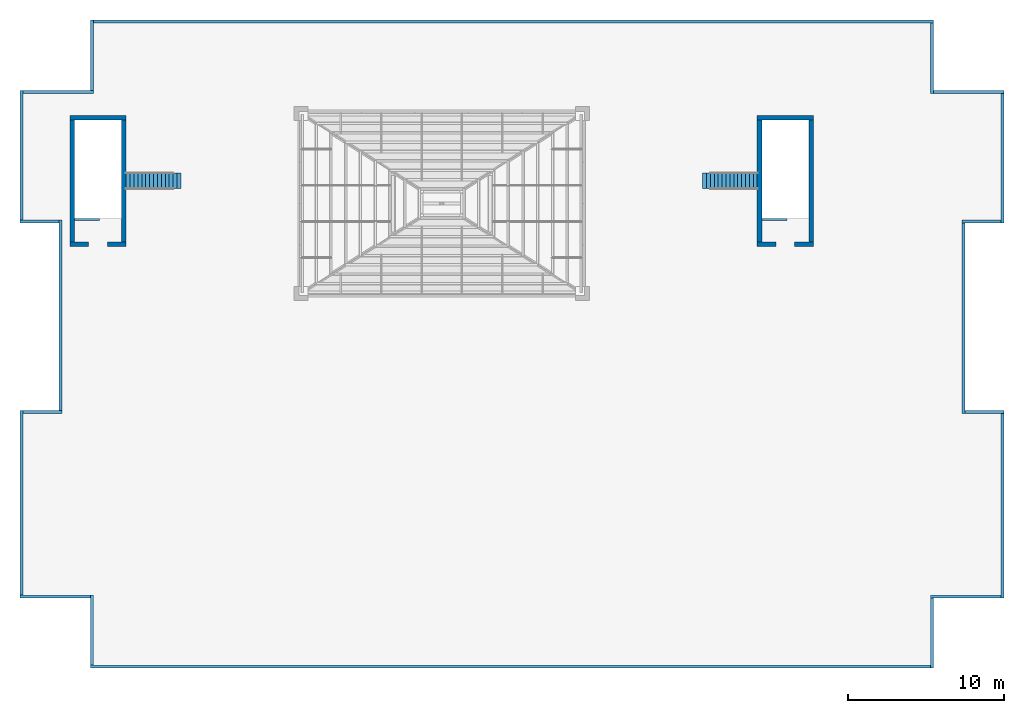
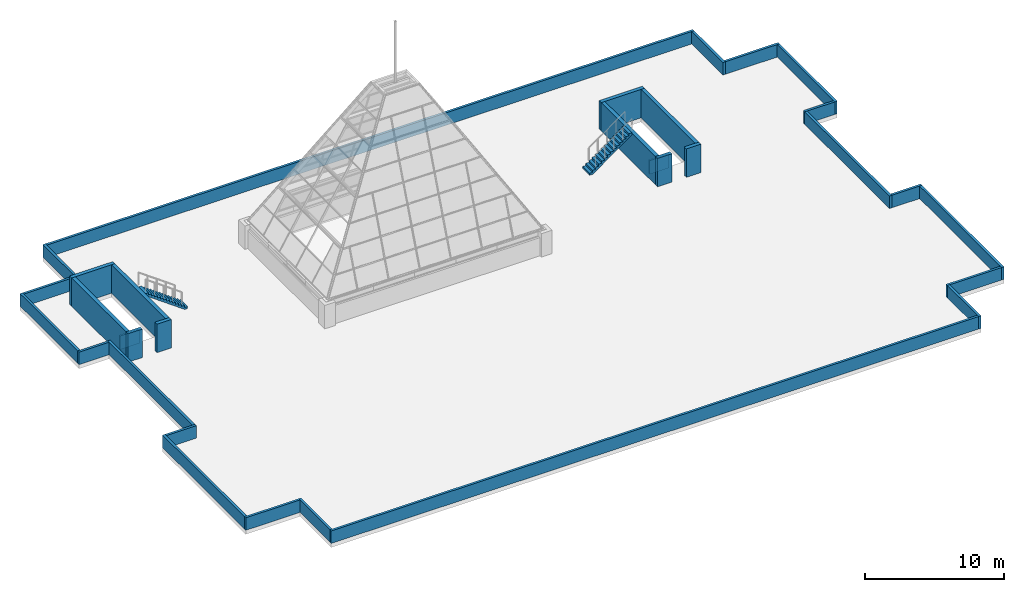
# One storey, part 7 of 8: 32 walls, 2 stair flights, 2 elements without a shape of their own.
"""IFC4 building model written with IfcOpenShell, lengths in metres."""

from ifc_helpers import new_model, si_unit, direction, frame, frame_2d, origin, place, context, subcontext, project, spatial, polyline, rectangle, outline, extrude, material, layer, layer_set, type_object, element, aggregate, save


model = new_model("IFC4")

# Units and contexts
model_context = context("Model", 3, precision=1e-05, world=origin(), true_north=direction((0.0, 1.0)))
body_context = subcontext(model_context, "Body", "Model", "MODEL_VIEW")
ifc_project = project(units=[si_unit("LENGTHUNIT", "METRE"), si_unit("AREAUNIT", "SQUARE_METRE"), si_unit("VOLUMEUNIT", "CUBIC_METRE"), si_unit("PLANEANGLEUNIT", "RADIAN"), si_unit("MASSUNIT", "GRAM", prefix="KILO")], contexts=[model_context])

# Site, building, storey
site_placement = place(None, origin())
site = spatial("IfcSite", under=ifc_project, at=site_placement, CompositionType="ELEMENT")
building_placement = place(site_placement, origin())
building = spatial("IfcBuilding", under=site, at=building_placement, Name="Brigalow Station Residences", CompositionType="ELEMENT")
storey_placement = place(building_placement, frame((0.0, 0.0, 244.199951171875)))
storey = spatial("IfcBuildingStorey", under=building, at=storey_placement, Name="Roof", CompositionType="ELEMENT", Elevation=244.199951171875)

# Walls
ifc_material_1 = material(Name="Concrete C50", Category="concrete")
ifc_layer_1 = layer(ifc_material_1, 0.199951171875)
ifc_layer_set_1 = layer_set([ifc_layer_1], Name="PARAPET 200x1100")
wall_type_1 = type_object("IfcWallType", Name="PARAPET 200x1100", PredefinedType="PARAPET", material=ifc_layer_set_1)
for number, where, z_axis, x_axis, name in (
    (1, (13.60009765625, 0.199951171875, 0.0), (0.0, 0.0, 1.0), (0.0, 1.0, 0.0), "Roof/parapet/1"),
    (2, (13.5, 4.60009765625, 0.0), (0.0, 0.0, 1.0), (-1.0, 0.0, 0.0), "Roof/parapet/2"),
):
    element("IfcWall", number, at=place(storey_placement, frame(where, z_axis=z_axis, x_axis=x_axis)), inside=storey, type_object=wall_type_1, Name=name, PredefinedType="PARAPET", context=body_context, shape_type="SweptSolid", body=[
        extrude(rectangle(XDim=4.5, YDim=0.199951171875, at=frame_2d((2.25, 0.0))), origin(), (0.0, 0.0, 1.0), 1.10009765625),
    ])
wall_1_placement = place(storey_placement, frame((9.10009765625, 4.699951171875, 0.0), z_axis=(0.0, 0.0, 1.0), x_axis=(0.0, 1.0, 0.0)))
element("IfcWall", 3, at=wall_1_placement, inside=storey, type_object=wall_type_1, Name="Roof/parapet/3", PredefinedType="PARAPET", context=body_context, shape_type="SweptSolid", body=[
    extrude(rectangle(XDim=11.800048828125, YDim=0.199951171875, at=frame_2d((5.89990234375, 0.0))), origin(), (0.0, 0.0, 1.0), 1.10009765625),
])
wall_2_placement = place(storey_placement, frame((9.199951171875, 16.39990234375, 0.0), z_axis=(0.0, 0.0, 1.0), x_axis=(1.0, 0.0, 0.0)))
element("IfcWall", 4, at=wall_2_placement, inside=storey, type_object=wall_type_1, Name="Roof/parapet/4", PredefinedType="PARAPET", context=body_context, shape_type="SweptSolid", body=[
    extrude(rectangle(XDim=2.5, YDim=0.199951171875, at=frame_2d((1.25, 0.0))), origin(), (0.0, 0.0, 1.0), 1.10009765625),
])
wall_3_placement = place(storey_placement, frame((11.60009765625, 16.5, 0.0), z_axis=(0.0, 0.0, 1.0), x_axis=(0.0, 1.0, 0.0)))
element("IfcWall", 5, at=wall_3_placement, inside=storey, type_object=wall_type_1, Name="Roof/parapet/5", PredefinedType="PARAPET", context=body_context, shape_type="SweptSolid", body=[
    extrude(rectangle(XDim=12.199951171875, YDim=0.199951171875, at=frame_2d((6.10009765625, 0.0))), origin(), (0.0, 0.0, 1.0), 1.10009765625),
])
wall_4_placement = place(storey_placement, frame((11.5, 28.60009765625, 0.0), z_axis=(0.0, 0.0, 1.0), x_axis=(-1.0, 0.0, 0.0)))
element("IfcWall", 6, at=wall_4_placement, inside=storey, type_object=wall_type_1, Name="Roof/parapet/6", PredefinedType="PARAPET", context=body_context, shape_type="SweptSolid", body=[
    extrude(rectangle(XDim=2.5, YDim=0.199951171875, at=frame_2d((1.25, 0.0))), origin(), (0.0, 0.0, 1.0), 1.10009765625),
])
wall_5_placement = place(storey_placement, frame((9.10009765625, 28.699951171875, 0.0), z_axis=(0.0, 0.0, 1.0), x_axis=(0.0, 1.0, 0.0)))
element("IfcWall", 7, at=wall_5_placement, inside=storey, type_object=wall_type_1, Name="Roof/parapet/7", PredefinedType="PARAPET", context=body_context, shape_type="SweptSolid", body=[
    extrude(rectangle(XDim=8.300048828125, YDim=0.199951171875, at=frame_2d((4.14990234375, 0.0))), origin(), (0.0, 0.0, 1.0), 1.10009765625),
])
for number, where, z_axis, x_axis, name in (
    (8, (9.199951171875, 36.89990234375, 0.0), (0.0, 0.0, 1.0), (1.0, 0.0, 0.0), "Roof/parapet/8"),
    (9, (13.60009765625, 37.0, 0.0), (0.0, 0.0, 1.0), (0.0, 1.0, 0.0), "Roof/parapet/9"),
):
    element("IfcWall", number, at=place(storey_placement, frame(where, z_axis=z_axis, x_axis=x_axis)), inside=storey, type_object=wall_type_1, Name=name, PredefinedType="PARAPET", context=body_context, shape_type="SweptSolid", body=[
        extrude(rectangle(XDim=4.5, YDim=0.199951171875, at=frame_2d((2.25, 0.0))), origin(), (0.0, 0.0, 1.0), 1.10009765625),
    ])
wall_6_placement = place(storey_placement, frame((13.699951171875, 41.39990234375, 0.0), z_axis=(0.0, 0.0, 1.0), x_axis=(1.0, 0.0, 0.0)))
element("IfcWall", 10, at=wall_6_placement, inside=storey, type_object=wall_type_1, Name="Roof/parapet/10", PredefinedType="PARAPET", context=body_context, shape_type="SweptSolid", body=[
    extrude(rectangle(XDim=53.800048828125, YDim=0.199951171875, at=frame_2d((26.89990234375, 0.0))), origin(), (0.0, 0.0, 1.0), 1.10009765625),
])
for number, where, z_axis, x_axis, name in (
    (11, (67.39990234375, 41.300048828125, 0.0), (0.0, 0.0, 1.0), (0.0, -1.0, 0.0), "Roof/parapet/11"),
    (12, (67.5, 36.89990234375, 0.0), (0.0, 0.0, 1.0), (1.0, 0.0, 0.0), "Roof/parapet/12"),
):
    element("IfcWall", number, at=place(storey_placement, frame(where, z_axis=z_axis, x_axis=x_axis)), inside=storey, type_object=wall_type_1, Name=name, PredefinedType="PARAPET", context=body_context, shape_type="SweptSolid", body=[
        extrude(rectangle(XDim=4.5, YDim=0.199951171875, at=frame_2d((2.25, 0.0))), origin(), (0.0, 0.0, 1.0), 1.10009765625),
    ])
wall_7_placement = place(storey_placement, frame((71.89990234375, 36.800048828125, 0.0), z_axis=(0.0, 0.0, 1.0), x_axis=(0.0, -1.0, 0.0)))
element("IfcWall", 13, at=wall_7_placement, inside=storey, type_object=wall_type_1, Name="Roof/parapet/13", PredefinedType="PARAPET", context=body_context, shape_type="SweptSolid", body=[
    extrude(rectangle(XDim=8.300048828125, YDim=0.199951171875, at=frame_2d((4.14990234375, 0.0))), origin(), (0.0, 0.0, 1.0), 1.10009765625),
])
wall_8_placement = place(storey_placement, frame((71.800048828125, 28.60009765625, 0.0), z_axis=(0.0, 0.0, 1.0), x_axis=(-1.0, 0.0, 0.0)))
element("IfcWall", 14, at=wall_8_placement, inside=storey, type_object=wall_type_1, Name="Roof/parapet/14", PredefinedType="PARAPET", context=body_context, shape_type="SweptSolid", body=[
    extrude(rectangle(XDim=2.5, YDim=0.199951171875, at=frame_2d((1.25, 0.0))), origin(), (0.0, 0.0, 1.0), 1.10009765625),
])
wall_9_placement = place(storey_placement, frame((69.39990234375, 28.5, 0.0), z_axis=(0.0, 0.0, 1.0), x_axis=(0.0, -1.0, 0.0)))
element("IfcWall", 15, at=wall_9_placement, inside=storey, type_object=wall_type_1, Name="Roof/parapet/15", PredefinedType="PARAPET", context=body_context, shape_type="SweptSolid", body=[
    extrude(rectangle(XDim=12.199951171875, YDim=0.199951171875, at=frame_2d((6.10009765625, 0.0))), origin(), (0.0, 0.0, 1.0), 1.10009765625),
])
wall_10_placement = place(storey_placement, frame((69.5, 16.39990234375, 0.0), z_axis=(0.0, 0.0, 1.0), x_axis=(1.0, 0.0, 0.0)))
element("IfcWall", 16, at=wall_10_placement, inside=storey, type_object=wall_type_1, Name="Roof/parapet/16", PredefinedType="PARAPET", context=body_context, shape_type="SweptSolid", body=[
    extrude(rectangle(XDim=2.5, YDim=0.199951171875, at=frame_2d((1.25, 0.0))), origin(), (0.0, 0.0, 1.0), 1.10009765625),
])
wall_11_placement = place(storey_placement, frame((71.89990234375, 16.300048828125, 0.0), z_axis=(0.0, 0.0, 1.0), x_axis=(0.0, -1.0, 0.0)))
element("IfcWall", 17, at=wall_11_placement, inside=storey, type_object=wall_type_1, Name="Roof/parapet/17", PredefinedType="PARAPET", context=body_context, shape_type="SweptSolid", body=[
    extrude(rectangle(XDim=11.800048828125, YDim=0.199951171875, at=frame_2d((5.89990234375, 0.0))), origin(), (0.0, 0.0, 1.0), 1.10009765625),
])
for number, where, z_axis, x_axis, name in (
    (18, (71.800048828125, 4.60009765625, 0.0), (0.0, 0.0, 1.0), (-1.0, 0.0, 0.0), "Roof/parapet/18"),
    (19, (67.39990234375, 4.5, 0.0), (0.0, 0.0, 1.0), (0.0, -1.0, 0.0), "Roof/parapet/19"),
):
    element("IfcWall", number, at=place(storey_placement, frame(where, z_axis=z_axis, x_axis=x_axis)), inside=storey, type_object=wall_type_1, Name=name, PredefinedType="PARAPET", context=body_context, shape_type="SweptSolid", body=[
        extrude(rectangle(XDim=4.5, YDim=0.199951171875, at=frame_2d((2.25, 0.0))), origin(), (0.0, 0.0, 1.0), 1.10009765625),
    ])
wall_12_placement = place(storey_placement, frame((67.300048828125, 0.10009765625, 0.0), z_axis=(0.0, 0.0, 1.0), x_axis=(-1.0, 0.0, 0.0)))
element("IfcWall", 20, at=wall_12_placement, inside=storey, type_object=wall_type_1, Name="Roof/parapet/20", PredefinedType="PARAPET", context=body_context, shape_type="SweptSolid", body=[
    extrude(rectangle(XDim=53.800048828125, YDim=0.199951171875, at=frame_2d((26.89990234375, 0.0))), origin(), (0.0, 0.0, 1.0), 1.10009765625),
])
ifc_material_2 = material(Name="Concrete C50", Category="concrete")
ifc_layer_2 = layer(ifc_material_2, 0.300048828125)
ifc_layer_set_2 = layer_set([ifc_layer_2], Name="STAIR HEAD HOUSE WALL 300")
wall_type_2 = type_object("IfcWallType", Name="STAIR HEAD HOUSE WALL 300", PredefinedType="SOLIDWALL", material=ifc_layer_set_2)
for number, where, z_axis, x_axis, name in (
    (21, (12.199951171875, 27.14990234375, 0.0), (0.0, 0.0, 1.0), (1.0, 0.0, 0.0), "STAIR S1 HEAD HOUSE WALL"),
    (22, (14.60009765625, 27.14990234375, 0.0), (0.0, 0.0, 1.0), (1.0, 0.0, 0.0), "STAIR S1 HEAD HOUSE WALL"),
):
    element("IfcWall", number, at=place(storey_placement, frame(where, z_axis=z_axis, x_axis=x_axis)), inside=storey, type_object=wall_type_2, Name=name, PredefinedType="SOLIDWALL", context=body_context, shape_type="SweptSolid", body=[
        extrude(rectangle(XDim=1.199951171875, YDim=0.300048828125, at=frame_2d((0.60009765625, 0.0))), origin(), (0.0, 0.0, 1.0), 2.5),
    ])
wall_13_placement = place(storey_placement, frame((12.199951171875, 35.25, 0.0), z_axis=(0.0, 0.0, 1.0), x_axis=(1.0, 0.0, 0.0)))
element("IfcWall", 23, at=wall_13_placement, inside=storey, type_object=wall_type_2, Name="STAIR S1 HEAD HOUSE WALL", PredefinedType="SOLIDWALL", context=body_context, shape_type="SweptSolid", body=[
    extrude(rectangle(XDim=3.60009765625, YDim=0.300048828125, at=frame_2d((1.800048828125, 0.0))), origin(), (0.0, 0.0, 1.0), 2.5),
])
for number, where, z_axis, x_axis, name in (
    (24, (12.35009765625, 27.300048828125, 0.0), (0.0, 0.0, 1.0), (0.0, 1.0, 0.0), "STAIR S1 HEAD HOUSE WALL"),
    (25, (15.64990234375, 27.300048828125, 0.0), (0.0, 0.0, 1.0), (0.0, 1.0, 0.0), "STAIR S1 HEAD HOUSE WALL"),
):
    element("IfcWall", number, at=place(storey_placement, frame(where, z_axis=z_axis, x_axis=x_axis)), inside=storey, type_object=wall_type_2, Name=name, PredefinedType="SOLIDWALL", context=body_context, shape_type="SweptSolid", body=[
        extrude(rectangle(XDim=7.800048828125, YDim=0.300048828125, at=frame_2d((3.89990234375, 0.0))), origin(), (0.0, 0.0, 1.0), 2.5),
    ])
for number, where, z_axis, x_axis, name in (
    (26, (56.199951171875, 27.14990234375, 0.0), (0.0, 0.0, 1.0), (1.0, 0.0, 0.0), "STAIR S3 HEAD HOUSE WALL"),
    (27, (58.60009765625, 27.14990234375, 0.0), (0.0, 0.0, 1.0), (1.0, 0.0, 0.0), "STAIR S3 HEAD HOUSE WALL"),
):
    element("IfcWall", number, at=place(storey_placement, frame(where, z_axis=z_axis, x_axis=x_axis)), inside=storey, type_object=wall_type_2, Name=name, PredefinedType="SOLIDWALL", context=body_context, shape_type="SweptSolid", body=[
        extrude(rectangle(XDim=1.199951171875, YDim=0.300048828125, at=frame_2d((0.60009765625, 0.0))), origin(), (0.0, 0.0, 1.0), 2.5),
    ])
wall_14_placement = place(storey_placement, frame((56.199951171875, 35.25, 0.0), z_axis=(0.0, 0.0, 1.0), x_axis=(1.0, 0.0, 0.0)))
element("IfcWall", 28, at=wall_14_placement, inside=storey, type_object=wall_type_2, Name="STAIR S3 HEAD HOUSE WALL", PredefinedType="SOLIDWALL", context=body_context, shape_type="SweptSolid", body=[
    extrude(rectangle(XDim=3.60009765625, YDim=0.300048828125, at=frame_2d((1.800048828125, 0.0))), origin(), (0.0, 0.0, 1.0), 2.5),
])
for number, where, z_axis, x_axis, name in (
    (29, (56.35009765625, 27.300048828125, 0.0), (0.0, 0.0, 1.0), (0.0, 1.0, 0.0), "STAIR S3 HEAD HOUSE WALL"),
    (30, (59.64990234375, 27.300048828125, 0.0), (0.0, 0.0, 1.0), (0.0, 1.0, 0.0), "STAIR S3 HEAD HOUSE WALL"),
):
    element("IfcWall", number, at=place(storey_placement, frame(where, z_axis=z_axis, x_axis=x_axis)), inside=storey, type_object=wall_type_2, Name=name, PredefinedType="SOLIDWALL", context=body_context, shape_type="SweptSolid", body=[
        extrude(rectangle(XDim=7.800048828125, YDim=0.300048828125, at=frame_2d((3.89990234375, 0.0))), origin(), (0.0, 0.0, 1.0), 2.5),
    ])
ifc_material_3 = material(Name="Concrete C50", Category="concrete")
ifc_layer_3 = layer(ifc_material_3, 0.14990234375)
ifc_layer_set_3 = layer_set([ifc_layer_3], Name="STAIR WELL UPSTAND 150")
wall_type_3 = type_object("IfcWallType", Name="STAIR WELL UPSTAND 150", PredefinedType="PARAPET", material=ifc_layer_set_3)
for number, where, z_axis, x_axis, name in (
    (31, (12.5, 28.72509765625, 0.0), (0.0, 0.0, 1.0), (1.0, 0.0, 0.0), "STAIR S1 WELL UPSTAND"),
    (32, (56.5, 28.72509765625, 0.0), (0.0, 0.0, 1.0), (1.0, 0.0, 0.0), "STAIR S3 WELL UPSTAND"),
):
    element("IfcWall", number, at=place(storey_placement, frame(where, z_axis=z_axis, x_axis=x_axis)), inside=storey, type_object=wall_type_3, Name=name, PredefinedType="PARAPET", context=body_context, shape_type="SweptSolid", body=[
        extrude(rectangle(XDim=1.60009765625, YDim=0.14990234375, at=frame_2d((0.800048828125, 0.0))), origin(), (0.0, 0.0, 1.0), 1.199951171875),
    ])

# Stair, stair flight
ifc_material_4 = material(Name="Steel Grade 350 to AS/NZS 3679.1", Category="steel")
stair_type = type_object("IfcStairType", Name="ROOF ACCESS STAIR 1000 15 RISER", PredefinedType="STRAIGHT_RUN_STAIR", material=ifc_material_4)
stair_1_placement = place(storey_placement, origin())
stair_1 = element("IfcStair", 33, at=stair_1_placement, inside=storey, type_object=stair_type, Name="ROOF ACCESS STAIR RS1", PredefinedType="STRAIGHT_RUN_STAIR")
ifc_material_5 = material(Name="Steel Grade 350 to AS/NZS 3679.1", Category="steel")
stair_flight_type = type_object("IfcStairFlightType", Name="ROOF ACCESS STAIR FLIGHT 1000", PredefinedType="STRAIGHT", material=ifc_material_5)
stair_flight_1_placement = place(storey_placement, frame((19.300048828125, 31.199951171875, 0.0), z_axis=(0.0, 0.0, 1.0), x_axis=(-1.0, 0.0, 0.0)))
stair_flight_1 = element("IfcStairFlight", 34, at=stair_flight_1_placement, type_object=stair_flight_type, Name="RS1 flight 1", NumberOfRisers=15, NumberOfTreads=14, PredefinedType="STRAIGHT", RiserHeight=0.18, TreadLength=0.25, context=body_context, shape_type="SweptSolid", body=[
    extrude(outline(polyline([(0.0, 0.0), (0.0, 0.179931640625), (0.25, 0.179931640625), (0.25, 0.360107421875), (0.5, 0.360107421875), (0.5, 0.5400390625), (0.75, 0.5400390625), (0.75, 0.719970703125), (1.0, 0.719970703125), (1.0, 0.89990234375), (1.25, 0.89990234375), (1.25, 1.080078125), (1.5, 1.080078125), (1.5, 1.260009765625), (1.75, 1.260009765625), (1.75, 1.43994140625), (2.0, 1.43994140625), (2.0, 1.6201171875), (2.25, 1.6201171875), (2.25, 1.800048828125), (2.5, 1.800048828125), (2.5, 1.97998046875), (2.75, 1.97998046875), (2.75, 2.159912109375), (3.0, 2.159912109375), (3.0, 2.340087890625), (3.25, 2.340087890625), (3.25, 2.52001953125), (3.5, 2.52001953125), (3.5, 2.699951171875), (3.5, 2.335205078125), (0.256591796875, 0.0), (0.0, 0.0)])), frame((0.0, 0.5, 0.0), z_axis=(0.0, -1.0, 0.0), x_axis=(1.0, 0.0, 0.0)), (0.0, 0.0, 1.0), 1.0),
])
aggregate(stair_1, [stair_flight_1])

stair_2_placement = place(storey_placement, origin())
stair_2 = element("IfcStair", 35, at=stair_2_placement, inside=storey, type_object=stair_type, Name="ROOF ACCESS STAIR RS3", PredefinedType="STRAIGHT_RUN_STAIR")
stair_flight_2_placement = place(storey_placement, frame((52.699951171875, 31.199951171875, 0.0), z_axis=(0.0, 0.0, 1.0), x_axis=(1.0, 0.0, 0.0)))
stair_flight_2 = element("IfcStairFlight", 36, at=stair_flight_2_placement, type_object=stair_flight_type, Name="RS3 flight 1", NumberOfRisers=15, NumberOfTreads=14, PredefinedType="STRAIGHT", RiserHeight=0.18, TreadLength=0.25, context=body_context, shape_type="SweptSolid", body=[
    extrude(outline(polyline([(0.0, 0.0), (0.0, 0.179931640625), (0.25, 0.179931640625), (0.25, 0.360107421875), (0.5, 0.360107421875), (0.5, 0.5400390625), (0.75, 0.5400390625), (0.75, 0.719970703125), (1.0, 0.719970703125), (1.0, 0.89990234375), (1.25, 0.89990234375), (1.25, 1.080078125), (1.5, 1.080078125), (1.5, 1.260009765625), (1.75, 1.260009765625), (1.75, 1.43994140625), (2.0, 1.43994140625), (2.0, 1.6201171875), (2.25, 1.6201171875), (2.25, 1.800048828125), (2.5, 1.800048828125), (2.5, 1.97998046875), (2.75, 1.97998046875), (2.75, 2.159912109375), (3.0, 2.159912109375), (3.0, 2.340087890625), (3.25, 2.340087890625), (3.25, 2.52001953125), (3.5, 2.52001953125), (3.5, 2.699951171875), (3.5, 2.335205078125), (0.256591796875, 0.0), (0.0, 0.0)])), frame((0.0, 0.5, 0.0), z_axis=(0.0, -1.0, 0.0), x_axis=(1.0, 0.0, 0.0)), (0.0, 0.0, 1.0), 1.0),
])
aggregate(stair_2, [stair_flight_2])

save(model, "model.ifc")
